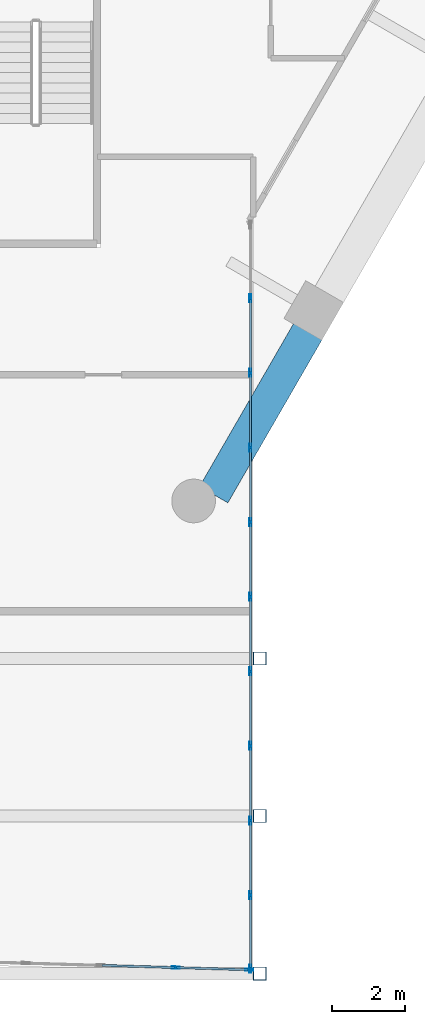
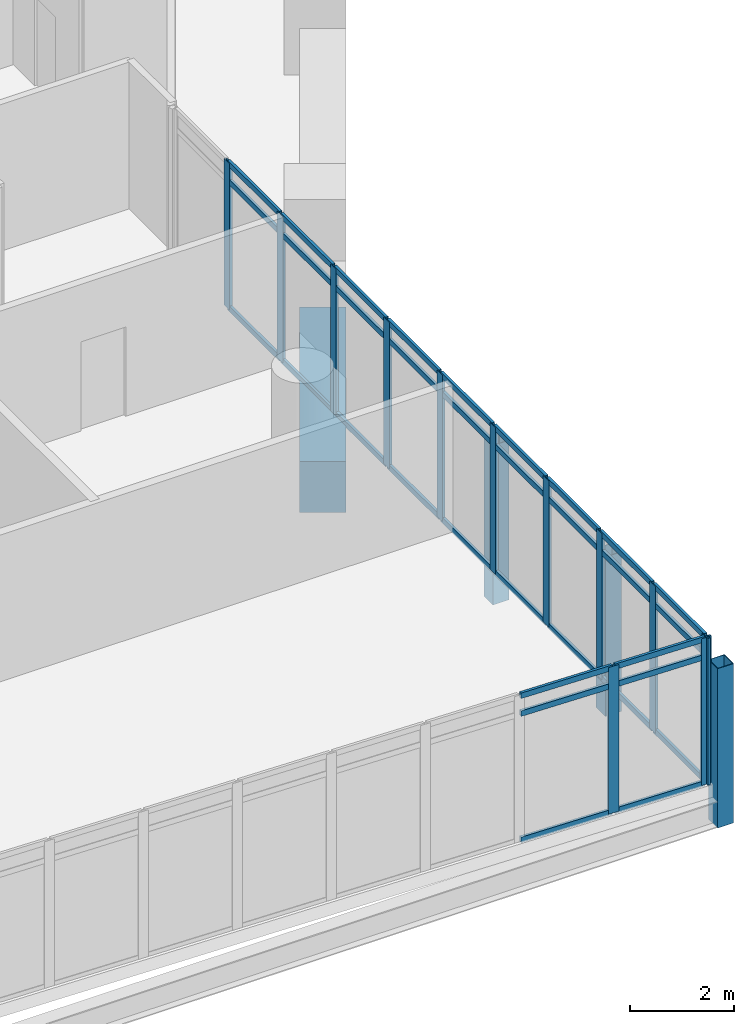
# One storey, part 10 of 28: 48 members, 1 beam, 2 elements without a shape of their own.
"""IFC4 building model written with IfcOpenShell, lengths in metres."""

import ifcopenshell
import ifcopenshell.guid

model = None  # the IFC model being written
_history = None  # IfcOwnerHistory: only IFC2X3 demands one
_inside = {}  # id of a spatial element -> (the spatial element, [elements in it])
_under = {}  # id of a project, library or spatial element -> (it, [spatial elements below it])
_declared = {}  # id of a project -> (the project, [libraries it declares])
_typed = {}  # id of a type object -> (the type object, [elements of that type])
_made_of = {}  # id of a material, layer set ... -> (it, [elements and type objects made of it])


def new_model(schema):
    """Start an empty IFC model of exactly this schema.

    Asked for "IFC4X3", IfcOpenShell would pick the latest addendum, in which some entities
    have other attributes; the version numbers below select the first issue.
    IFC2X3 requires an IfcOwnerHistory on every rooted entity: one is made here for all.
    """
    global model, _history
    if schema == "IFC4X3":
        model = ifcopenshell.file(schema_version=(4, 3, 0, 0))
    else:
        model = ifcopenshell.file(schema=schema)
    _inside.clear()
    _under.clear()
    _declared.clear()
    _typed.clear()
    _made_of.clear()
    _history = None
    if model.schema == "IFC2X3":
        org = make("IfcOrganization", Name="unknown")
        user = make(
            "IfcPersonAndOrganization",
            ThePerson=make("IfcPerson", FamilyName="unknown"),
            TheOrganization=org,
        )
        app = make(
            "IfcApplication",
            ApplicationDeveloper=org,
            Version="unknown",
            ApplicationFullName="unknown",
            ApplicationIdentifier="unknown",
        )
        _history = make(
            "IfcOwnerHistory",
            OwningUser=user,
            OwningApplication=app,
            ChangeAction="ADDED",
            CreationDate=0,
        )
    return model


def make(cls, **values):
    """One entity of the class cls with the attributes given. An attribute that is None is left unset."""
    return model.create_entity(
        cls, **{name: value for name, value in values.items() if value is not None}
    )


def rooted(cls, **values):
    """An entity with a GlobalId (a new one), such as an element, a storey or a relation."""
    return make(cls, GlobalId=ifcopenshell.guid.new(), OwnerHistory=_history, **values)


def si_unit(unit_type, name, prefix=None):
    """IfcSIUnit, for example si_unit("LENGTHUNIT", "METRE", prefix="MILLI")."""
    return make("IfcSIUnit", UnitType=unit_type, Prefix=prefix, Name=name)


def assignment(units):
    """IfcUnitAssignment: the units of a project."""
    return None if units is None else make("IfcUnitAssignment", Units=units)


def point(xyz):
    """IfcCartesianPoint."""
    return None if xyz is None else make("IfcCartesianPoint", Coordinates=xyz)


def direction(xyz):
    """IfcDirection."""
    return None if xyz is None else make("IfcDirection", DirectionRatios=xyz)


def frame(location, z_axis=None, x_axis=None):
    """IfcAxis2Placement3D, a coordinate frame: its origin and axes. An axis left out is left unset."""
    return make(
        "IfcAxis2Placement3D",
        Location=point(location),
        Axis=direction(z_axis),
        RefDirection=direction(x_axis),
    )


def frame_2d(location, x_axis=None):
    """IfcAxis2Placement2D, a coordinate frame in the plane: its origin and x axis."""
    return make(
        "IfcAxis2Placement2D", Location=point(location), RefDirection=direction(x_axis)
    )


def origin():
    """The frame at (0, 0, 0) with its axes left unset."""
    return frame((0.0, 0.0, 0.0))


def origin_2d():
    """The frame at (0, 0) in the plane with its x axis left unset."""
    return frame_2d((0.0, 0.0))


def place(relative_to, where):
    """IfcLocalPlacement: puts the frame where relative to a parent placement (None: the world)."""
    return make(
        "IfcLocalPlacement", PlacementRelTo=relative_to, RelativePlacement=where
    )


def context(
    kind, dimensions, precision=None, world=None, true_north=None, identifier=None
):
    """IfcGeometricRepresentationContext, for example the 3D "Model" context."""
    return make(
        "IfcGeometricRepresentationContext",
        ContextIdentifier=identifier,
        ContextType=kind,
        CoordinateSpaceDimension=dimensions,
        Precision=precision,
        WorldCoordinateSystem=world,
        TrueNorth=true_north,
    )


def subcontext(parent, identifier, kind, view, scale=None):
    """IfcGeometricRepresentationSubContext, for example "Body" below "Model"."""
    return make(
        "IfcGeometricRepresentationSubContext",
        ContextIdentifier=identifier,
        ContextType=kind,
        ParentContext=parent,
        TargetScale=scale,
        TargetView=view,
    )


def project(units=None, contexts=None):
    """IfcProject with its units and contexts."""
    return rooted(
        "IfcProject",
        Name="project",
        RepresentationContexts=contexts,
        UnitsInContext=assignment(units),
    )


def spatial(cls, under=None, at=None, **own):
    """A site, building, storey or space (cls), placed at a placement, below another one or the project."""
    s = rooted(cls, ObjectPlacement=at, **own)
    if under is not None:
        _under.setdefault(under.id(), (under, []))[1].append(s)
    return s


def profile(cls, at=None, kind="AREA", **sizes):
    """A parametric profile (cls). Its sizes go by their IFC names, for example OverallWidth=200.0."""
    return make(cls, ProfileType=kind, Position=at, **sizes)


def rectangle(**sizes):
    """IfcRectangleProfileDef."""
    return profile("IfcRectangleProfileDef", **sizes)


def hollow_rectangle(**sizes):
    """IfcRectangleHollowProfileDef."""
    return profile("IfcRectangleHollowProfileDef", **sizes)


def extrude(swept, where, along, depth):
    """IfcExtrudedAreaSolid: the profile swept, set in the frame where, extruded along a direction by depth."""
    return make(
        "IfcExtrudedAreaSolid",
        SweptArea=swept,
        Position=where,
        ExtrudedDirection=direction(along),
        Depth=depth,
    )


def shape(context_of_items, identifier, shape_type, items):
    """IfcShapeRepresentation: the items that make up one representation, for example the "Body"."""
    return make(
        "IfcShapeRepresentation",
        ContextOfItems=context_of_items,
        RepresentationIdentifier=identifier,
        RepresentationType=shape_type,
        Items=items,
    )


def material(Name=None, Category=None):
    """IfcMaterial."""
    return make("IfcMaterial", Name=Name, Category=Category)


def material_profile(
    of_material, cross_section, Name=None, Category=None, Priority=None
):
    """IfcMaterialProfile: a cross section and its material."""
    return make(
        "IfcMaterialProfile",
        Name=Name,
        Material=of_material,
        Profile=cross_section,
        Priority=Priority,
        Category=Category,
    )


def profile_set(profiles, Name=None, composite=None):
    """IfcMaterialProfileSet."""
    return make(
        "IfcMaterialProfileSet",
        Name=Name,
        MaterialProfiles=profiles,
        CompositeProfile=composite,
    )


def made_of(thing, what):
    """Note that an element or type object is made of a material, layer set ...; save() writes the relation."""
    if what is not None:
        _made_of.setdefault(what.id(), (what, []))[1].append(thing)
    return thing


def type_object(cls, material=None, **own):
    """A type object (cls), such as IfcWallType, which elements share."""
    return made_of(rooted(cls, **own), material)


def element(
    cls,
    number,
    at=None,
    inside=None,
    cuts=None,
    type_object=None,
    material=None,
    context=None,
    identifier="Body",
    shape_type=None,
    held_by="IfcProductDefinitionShape",
    body=None,
    shapes=None,
    **own,
):
    """One element of the class cls, such as IfcWall. Its Tag is "e" and its number.

    at: its placement. inside: the storey or other place that contains it. cuts: it is an
    opening in that element (IfcRelVoidsElement). A single representation is given by context,
    identifier, shape_type and body (its items); several are given by shapes. held_by: the class
    of the entity that holds the representations. save() writes the other relations.
    """
    e = rooted(cls, Tag="e%d" % number, ObjectPlacement=at, **own)
    if body is not None:
        shapes = [shape(context, identifier, shape_type, body)]
    if shapes is not None:
        e.Representation = make(held_by, Representations=shapes)
    if inside is not None:
        _inside.setdefault(inside.id(), (inside, []))[1].append(e)
    if cuts is not None:
        rooted(
            "IfcRelVoidsElement", RelatingBuildingElement=cuts, RelatedOpeningElement=e
        )
    if type_object is not None:
        _typed.setdefault(type_object.id(), (type_object, []))[1].append(e)
    return made_of(e, material)


def aggregate(whole, parts):
    """IfcRelAggregates: a whole, such as a stair, and the parts it consists of."""
    return rooted("IfcRelAggregates", RelatingObject=whole, RelatedObjects=parts)


def save(model, path):
    """Write the relations noted so far, then the file.

    IfcRelAggregates (storeys below a building ...), IfcRelContainedInSpatialStructure (elements
    in a storey), IfcRelDefinesByType, IfcRelAssociatesMaterial and IfcRelDeclares: one each for
    every whole, place, type object, material and project.
    """
    for whole, parts in _under.values():
        aggregate(whole, parts)
    for where, things in _inside.values():
        rooted(
            "IfcRelContainedInSpatialStructure",
            RelatedElements=things,
            RelatingStructure=where,
        )
    for kind, things in _typed.values():
        rooted("IfcRelDefinesByType", RelatedObjects=things, RelatingType=kind)
    for what, things in _made_of.values():
        rooted("IfcRelAssociatesMaterial", RelatedObjects=things, RelatingMaterial=what)
    for by, libraries in _declared.values():
        rooted("IfcRelDeclares", RelatingContext=by, RelatedDefinitions=libraries)
    model.write(path)


model = new_model("IFC4")

# Units and contexts
model_context = context("Model", 3, precision=1e-05, world=origin(), true_north=direction((0.0, 1.0)))
body_context = subcontext(model_context, "Body", "Model", "MODEL_VIEW")
ifc_project = project(units=[si_unit("LENGTHUNIT", "METRE"), si_unit("AREAUNIT", "SQUARE_METRE"), si_unit("VOLUMEUNIT", "CUBIC_METRE"), si_unit("PLANEANGLEUNIT", "RADIAN"), si_unit("MASSUNIT", "GRAM", prefix="KILO")], contexts=[model_context])

# Site, building, storey
site_placement = place(None, origin())
site = spatial("IfcSite", under=ifc_project, at=site_placement, CompositionType="ELEMENT")
building_placement = place(site_placement, origin())
building = spatial("IfcBuilding", under=site, at=building_placement, Name="Ostrander Bayou Hotel Tower", CompositionType="ELEMENT")
storey_placement = place(building_placement, frame((0.0, 0.0, 134.75)))
storey = spatial("IfcBuildingStorey", under=building, at=storey_placement, Name="L33", CompositionType="ELEMENT", Elevation=134.75)

# Curtain wall, members
ifc_material_1 = material(Name="Aluminium and clear glass", Category="aluminium")
curtain_wall_type = type_object("IfcCurtainWallType", Name="CW-BAR glazed wall", PredefinedType="NOTDEFINED", material=ifc_material_1)
curtain_wall_1_placement = place(storey_placement, origin())
curtain_wall_1 = element("IfcCurtainWall", 1, at=curtain_wall_1_placement, inside=storey, type_object=curtain_wall_type, Name="CW-BAR L33:SB3S:T", PredefinedType="NOTDEFINED")
ifc_material_2 = material(Name="Aluminium", Category="aluminium")
ifc_material_profile_1 = material_profile(ifc_material_2, hollow_rectangle(XDim=0.06005859375, YDim=0.219970703125, WallThickness=0.00390625, at=origin_2d()))
ifc_profile_set_1 = profile_set([ifc_material_profile_1], Name="Aluminium")
member_type_1 = type_object("IfcMemberType", Name="CW-BR mullion 60 x 220 mm", PredefinedType="MULLION", material=ifc_profile_set_1)
member_1_placement = place(storey_placement, frame((11.310791015625, -31.28662109375, 0.0), z_axis=(0.0, 0.0, 1.0), x_axis=(0.029746242041, 0.999557482631, 0.0)))
member_1 = element("IfcMember", 2, at=member_1_placement, type_object=member_type_1, Name="CW-BAR mullion 13", PredefinedType="MULLION", context=body_context, shape_type="SweptSolid", body=[
    extrude(hollow_rectangle(XDim=0.06005859375, YDim=0.219970703125, WallThickness=0.00390625, at=origin_2d()), origin(), (0.0, 0.0, 1.0), 3.449951171875),
])
member_2_placement = place(storey_placement, frame((13.337158203125, -31.346923828125, 0.0), z_axis=(0.0, 0.0, 1.0), x_axis=(0.029746242041, 0.999557482631, 0.0)))
member_2 = element("IfcMember", 3, at=member_2_placement, type_object=member_type_1, Name="CW-BAR mullion 14", PredefinedType="MULLION", context=body_context, shape_type="SweptSolid", body=[
    extrude(hollow_rectangle(XDim=0.06005859375, YDim=0.219970703125, WallThickness=0.00390625, at=origin_2d()), origin(), (0.0, 0.0, 1.0), 3.449951171875),
])

curtain_wall_2_placement = place(storey_placement, origin())
curtain_wall_2 = element("IfcCurtainWall", 4, at=curtain_wall_2_placement, inside=storey, type_object=curtain_wall_type, Name="CW-BAR L33:SB3S:W", PredefinedType="NOTDEFINED")
member_3_placement = place(storey_placement, frame((13.3671875, -12.8974609375, 0.0), z_axis=(0.0, 0.0, 1.0), x_axis=(1.0, 0.0, 0.0)))
member_3 = element("IfcMember", 5, at=member_3_placement, type_object=member_type_1, Name="CW-BAR mullion 2", PredefinedType="MULLION", context=body_context, shape_type="SweptSolid", body=[
    extrude(hollow_rectangle(XDim=0.06005859375, YDim=0.219970703125, WallThickness=0.00390625, at=origin_2d()), origin(), (0.0, 0.0, 1.0), 3.449951171875),
])
member_4_placement = place(storey_placement, frame((13.3671875, -14.947509765625, 0.0), z_axis=(0.0, 0.0, 1.0), x_axis=(1.0, 0.0, 0.0)))
member_4 = element("IfcMember", 6, at=member_4_placement, type_object=member_type_1, Name="CW-BAR mullion 3", PredefinedType="MULLION", context=body_context, shape_type="SweptSolid", body=[
    extrude(hollow_rectangle(XDim=0.06005859375, YDim=0.219970703125, WallThickness=0.00390625, at=origin_2d()), origin(), (0.0, 0.0, 1.0), 3.449951171875),
])
member_5_placement = place(storey_placement, frame((13.3671875, -16.99755859375, 0.0), z_axis=(0.0, 0.0, 1.0), x_axis=(1.0, 0.0, 0.0)))
member_5 = element("IfcMember", 7, at=member_5_placement, type_object=member_type_1, Name="CW-BAR mullion 4", PredefinedType="MULLION", context=body_context, shape_type="SweptSolid", body=[
    extrude(hollow_rectangle(XDim=0.06005859375, YDim=0.219970703125, WallThickness=0.00390625, at=origin_2d()), origin(), (0.0, 0.0, 1.0), 3.449951171875),
])
member_6_placement = place(storey_placement, frame((13.3671875, -19.047607421875, 0.0), z_axis=(0.0, 0.0, 1.0), x_axis=(1.0, 0.0, 0.0)))
member_6 = element("IfcMember", 8, at=member_6_placement, type_object=member_type_1, Name="CW-BAR mullion 5", PredefinedType="MULLION", context=body_context, shape_type="SweptSolid", body=[
    extrude(hollow_rectangle(XDim=0.06005859375, YDim=0.219970703125, WallThickness=0.00390625, at=origin_2d()), origin(), (0.0, 0.0, 1.0), 3.449951171875),
])
member_7_placement = place(storey_placement, frame((13.3671875, -21.09765625, 0.0), z_axis=(0.0, 0.0, 1.0), x_axis=(1.0, 0.0, 0.0)))
member_7 = element("IfcMember", 9, at=member_7_placement, type_object=member_type_1, Name="CW-BAR mullion 6", PredefinedType="MULLION", context=body_context, shape_type="SweptSolid", body=[
    extrude(hollow_rectangle(XDim=0.06005859375, YDim=0.219970703125, WallThickness=0.00390625, at=origin_2d()), origin(), (0.0, 0.0, 1.0), 3.449951171875),
])
member_8_placement = place(storey_placement, frame((13.3671875, -23.147705078125, 0.0), z_axis=(0.0, 0.0, 1.0), x_axis=(1.0, 0.0, 0.0)))
member_8 = element("IfcMember", 10, at=member_8_placement, type_object=member_type_1, Name="CW-BAR mullion 7", PredefinedType="MULLION", context=body_context, shape_type="SweptSolid", body=[
    extrude(hollow_rectangle(XDim=0.06005859375, YDim=0.219970703125, WallThickness=0.00390625, at=origin_2d()), origin(), (0.0, 0.0, 1.0), 3.449951171875),
])
member_9_placement = place(storey_placement, frame((13.3671875, -25.19775390625, 0.0), z_axis=(0.0, 0.0, 1.0), x_axis=(1.0, 0.0, 0.0)))
member_9 = element("IfcMember", 11, at=member_9_placement, type_object=member_type_1, Name="CW-BAR mullion 8", PredefinedType="MULLION", context=body_context, shape_type="SweptSolid", body=[
    extrude(hollow_rectangle(XDim=0.06005859375, YDim=0.219970703125, WallThickness=0.00390625, at=origin_2d()), origin(), (0.0, 0.0, 1.0), 3.449951171875),
])
member_10_placement = place(storey_placement, frame((13.3671875, -27.247802734375, 0.0), z_axis=(0.0, 0.0, 1.0), x_axis=(1.0, 0.0, 0.0)))
member_10 = element("IfcMember", 12, at=member_10_placement, type_object=member_type_1, Name="CW-BAR mullion 9", PredefinedType="MULLION", context=body_context, shape_type="SweptSolid", body=[
    extrude(hollow_rectangle(XDim=0.06005859375, YDim=0.219970703125, WallThickness=0.00390625, at=origin_2d()), origin(), (0.0, 0.0, 1.0), 3.449951171875),
])
member_11_placement = place(storey_placement, frame((13.3671875, -29.2978515625, 0.0), z_axis=(0.0, 0.0, 1.0), x_axis=(1.0, 0.0, 0.0)))
member_11 = element("IfcMember", 13, at=member_11_placement, type_object=member_type_1, Name="CW-BAR mullion 10", PredefinedType="MULLION", context=body_context, shape_type="SweptSolid", body=[
    extrude(hollow_rectangle(XDim=0.06005859375, YDim=0.219970703125, WallThickness=0.00390625, at=origin_2d()), origin(), (0.0, 0.0, 1.0), 3.449951171875),
])
member_12_placement = place(storey_placement, frame((13.3671875, -31.31787109375, 0.0), z_axis=(0.0, 0.0, 1.0), x_axis=(1.0, 0.0, 0.0)))
member_12 = element("IfcMember", 14, at=member_12_placement, type_object=member_type_1, Name="CW-BAR mullion 11", PredefinedType="MULLION", context=body_context, shape_type="SweptSolid", body=[
    extrude(hollow_rectangle(XDim=0.06005859375, YDim=0.219970703125, WallThickness=0.00390625, at=origin_2d()), origin(), (0.0, 0.0, 1.0), 3.449951171875),
])

# Member
ifc_material_3 = material(Name="Aluminium", Category="aluminium")
ifc_material_profile_2 = material_profile(ifc_material_3, hollow_rectangle(XDim=0.06005859375, YDim=0.1298828125, WallThickness=0.00390625, at=origin_2d()))
ifc_profile_set_2 = profile_set([ifc_material_profile_2], Name="Aluminium")
member_type_2 = type_object("IfcMemberType", Name="CW-BR transom 60 x 130 mm", PredefinedType="USERDEFINED", material=ifc_profile_set_2)
member_13_placement = place(storey_placement, frame((9.2841796875, -31.226318359375, 0.030029296875), z_axis=(0.999558835181, -0.029700757758, 0.0), x_axis=(0.029700757758, 0.999558835181, 0.0)))
member_13 = element("IfcMember", 15, at=member_13_placement, type_object=member_type_2, Name="CW-BAR transom 12.1", ObjectType="TRANSOM", PredefinedType="USERDEFINED", context=body_context, shape_type="SweptSolid", body=[
    extrude(hollow_rectangle(XDim=0.06005859375, YDim=0.1298828125, WallThickness=0.00390625, at=origin_2d()), origin(), (0.0, 0.0, 1.0), 1.99755859375),
])

member_14_placement = place(storey_placement, frame((9.2841796875, -31.226318359375, 3.0), z_axis=(0.999558835181, -0.029700757758, 0.0), x_axis=(0.029700757758, 0.999558835181, 0.0)))
member_14 = element("IfcMember", 16, at=member_14_placement, type_object=member_type_2, Name="CW-BAR transom 12.2", ObjectType="TRANSOM", PredefinedType="USERDEFINED", context=body_context, shape_type="SweptSolid", body=[
    extrude(hollow_rectangle(XDim=0.06005859375, YDim=0.1298828125, WallThickness=0.00390625, at=origin_2d()), origin(), (0.0, 0.0, 1.0), 1.99755859375),
])

member_15_placement = place(storey_placement, frame((9.2841796875, -31.226318359375, 3.419921875), z_axis=(0.999558835181, -0.029700757758, 0.0), x_axis=(0.029700757758, 0.999558835181, 0.0)))
member_15 = element("IfcMember", 17, at=member_15_placement, type_object=member_type_2, Name="CW-BAR transom 12.3", ObjectType="TRANSOM", PredefinedType="USERDEFINED", context=body_context, shape_type="SweptSolid", body=[
    extrude(hollow_rectangle(XDim=0.06005859375, YDim=0.1298828125, WallThickness=0.00390625, at=origin_2d()), origin(), (0.0, 0.0, 1.0), 1.99755859375),
])

member_16_placement = place(storey_placement, frame((11.340576171875, -31.28759765625, 0.030029296875), z_axis=(0.99956010596, -0.029657959693, 0.0), x_axis=(0.029657959693, 0.99956010596, 0.0)))
member_16 = element("IfcMember", 18, at=member_16_placement, type_object=member_type_2, Name="CW-BAR transom 13.1", ObjectType="TRANSOM", PredefinedType="USERDEFINED", context=body_context, shape_type="SweptSolid", body=[
    extrude(hollow_rectangle(XDim=0.06005859375, YDim=0.1298828125, WallThickness=0.00390625, at=origin_2d()), origin(), (0.0, 0.0, 1.0), 1.967529296875),
])

member_17_placement = place(storey_placement, frame((11.340576171875, -31.28759765625, 3.0), z_axis=(0.99956010596, -0.029657959693, 0.0), x_axis=(0.029657959693, 0.99956010596, 0.0)))
member_17 = element("IfcMember", 19, at=member_17_placement, type_object=member_type_2, Name="CW-BAR transom 13.2", ObjectType="TRANSOM", PredefinedType="USERDEFINED", context=body_context, shape_type="SweptSolid", body=[
    extrude(hollow_rectangle(XDim=0.06005859375, YDim=0.1298828125, WallThickness=0.00390625, at=origin_2d()), origin(), (0.0, 0.0, 1.0), 1.967529296875),
])

member_18_placement = place(storey_placement, frame((11.340576171875, -31.28759765625, 3.419921875), z_axis=(0.99956010596, -0.029657959693, 0.0), x_axis=(0.029657959693, 0.99956010596, 0.0)))
member_18 = element("IfcMember", 20, at=member_18_placement, type_object=member_type_2, Name="CW-BAR transom 13.3", ObjectType="TRANSOM", PredefinedType="USERDEFINED", context=body_context, shape_type="SweptSolid", body=[
    extrude(hollow_rectangle(XDim=0.06005859375, YDim=0.1298828125, WallThickness=0.00390625, at=origin_2d()), origin(), (0.0, 0.0, 1.0), 1.967529296875),
])

aggregate(curtain_wall_1, [member_1, member_2, member_13, member_14, member_15, member_16, member_17, member_18])

member_19_placement = place(storey_placement, frame((13.3671875, -12.92724609375, 0.030029296875), z_axis=(0.0, -1.0, 0.0), x_axis=(1.0, 0.0, 0.0)))
member_19 = element("IfcMember", 21, at=member_19_placement, type_object=member_type_2, Name="CW-BAR transom 2.1", ObjectType="TRANSOM", PredefinedType="USERDEFINED", context=body_context, shape_type="SweptSolid", body=[
    extrude(hollow_rectangle(XDim=0.06005859375, YDim=0.1298828125, WallThickness=0.00390625, at=origin_2d()), origin(), (0.0, 0.0, 1.0), 1.990234375),
])

member_20_placement = place(storey_placement, frame((13.3671875, -12.92724609375, 3.0), z_axis=(0.0, -1.0, 0.0), x_axis=(1.0, 0.0, 0.0)))
member_20 = element("IfcMember", 22, at=member_20_placement, type_object=member_type_2, Name="CW-BAR transom 2.2", ObjectType="TRANSOM", PredefinedType="USERDEFINED", context=body_context, shape_type="SweptSolid", body=[
    extrude(hollow_rectangle(XDim=0.06005859375, YDim=0.1298828125, WallThickness=0.00390625, at=origin_2d()), origin(), (0.0, 0.0, 1.0), 1.990234375),
])

member_21_placement = place(storey_placement, frame((13.3671875, -12.92724609375, 3.419921875), z_axis=(0.0, -1.0, 0.0), x_axis=(1.0, 0.0, 0.0)))
member_21 = element("IfcMember", 23, at=member_21_placement, type_object=member_type_2, Name="CW-BAR transom 2.3", ObjectType="TRANSOM", PredefinedType="USERDEFINED", context=body_context, shape_type="SweptSolid", body=[
    extrude(hollow_rectangle(XDim=0.06005859375, YDim=0.1298828125, WallThickness=0.00390625, at=origin_2d()), origin(), (0.0, 0.0, 1.0), 1.990234375),
])

member_22_placement = place(storey_placement, frame((13.3671875, -14.977294921875, 0.030029296875), z_axis=(0.0, -1.0, 0.0), x_axis=(1.0, 0.0, 0.0)))
member_22 = element("IfcMember", 24, at=member_22_placement, type_object=member_type_2, Name="CW-BAR transom 3.1", ObjectType="TRANSOM", PredefinedType="USERDEFINED", context=body_context, shape_type="SweptSolid", body=[
    extrude(hollow_rectangle(XDim=0.06005859375, YDim=0.1298828125, WallThickness=0.00390625, at=origin_2d()), origin(), (0.0, 0.0, 1.0), 1.990234375),
])

member_23_placement = place(storey_placement, frame((13.3671875, -14.977294921875, 3.0), z_axis=(0.0, -1.0, 0.0), x_axis=(1.0, 0.0, 0.0)))
member_23 = element("IfcMember", 25, at=member_23_placement, type_object=member_type_2, Name="CW-BAR transom 3.2", ObjectType="TRANSOM", PredefinedType="USERDEFINED", context=body_context, shape_type="SweptSolid", body=[
    extrude(hollow_rectangle(XDim=0.06005859375, YDim=0.1298828125, WallThickness=0.00390625, at=origin_2d()), origin(), (0.0, 0.0, 1.0), 1.990234375),
])

member_24_placement = place(storey_placement, frame((13.3671875, -14.977294921875, 3.419921875), z_axis=(0.0, -1.0, 0.0), x_axis=(1.0, 0.0, 0.0)))
member_24 = element("IfcMember", 26, at=member_24_placement, type_object=member_type_2, Name="CW-BAR transom 3.3", ObjectType="TRANSOM", PredefinedType="USERDEFINED", context=body_context, shape_type="SweptSolid", body=[
    extrude(hollow_rectangle(XDim=0.06005859375, YDim=0.1298828125, WallThickness=0.00390625, at=origin_2d()), origin(), (0.0, 0.0, 1.0), 1.990234375),
])

member_25_placement = place(storey_placement, frame((13.3671875, -17.02734375, 0.030029296875), z_axis=(0.0, -1.0, 0.0), x_axis=(1.0, 0.0, 0.0)))
member_25 = element("IfcMember", 27, at=member_25_placement, type_object=member_type_2, Name="CW-BAR transom 4.1", ObjectType="TRANSOM", PredefinedType="USERDEFINED", context=body_context, shape_type="SweptSolid", body=[
    extrude(hollow_rectangle(XDim=0.06005859375, YDim=0.1298828125, WallThickness=0.00390625, at=origin_2d()), origin(), (0.0, 0.0, 1.0), 1.990234375),
])

member_26_placement = place(storey_placement, frame((13.3671875, -17.02734375, 3.0), z_axis=(0.0, -1.0, 0.0), x_axis=(1.0, 0.0, 0.0)))
member_26 = element("IfcMember", 28, at=member_26_placement, type_object=member_type_2, Name="CW-BAR transom 4.2", ObjectType="TRANSOM", PredefinedType="USERDEFINED", context=body_context, shape_type="SweptSolid", body=[
    extrude(hollow_rectangle(XDim=0.06005859375, YDim=0.1298828125, WallThickness=0.00390625, at=origin_2d()), origin(), (0.0, 0.0, 1.0), 1.990234375),
])

member_27_placement = place(storey_placement, frame((13.3671875, -17.02734375, 3.419921875), z_axis=(0.0, -1.0, 0.0), x_axis=(1.0, 0.0, 0.0)))
member_27 = element("IfcMember", 29, at=member_27_placement, type_object=member_type_2, Name="CW-BAR transom 4.3", ObjectType="TRANSOM", PredefinedType="USERDEFINED", context=body_context, shape_type="SweptSolid", body=[
    extrude(hollow_rectangle(XDim=0.06005859375, YDim=0.1298828125, WallThickness=0.00390625, at=origin_2d()), origin(), (0.0, 0.0, 1.0), 1.990234375),
])

member_28_placement = place(storey_placement, frame((13.3671875, -19.077392578125, 0.030029296875), z_axis=(0.0, -1.0, 0.0), x_axis=(1.0, 0.0, 0.0)))
member_28 = element("IfcMember", 30, at=member_28_placement, type_object=member_type_2, Name="CW-BAR transom 5.1", ObjectType="TRANSOM", PredefinedType="USERDEFINED", context=body_context, shape_type="SweptSolid", body=[
    extrude(hollow_rectangle(XDim=0.06005859375, YDim=0.1298828125, WallThickness=0.00390625, at=origin_2d()), origin(), (0.0, 0.0, 1.0), 1.990234375),
])

member_29_placement = place(storey_placement, frame((13.3671875, -19.077392578125, 3.0), z_axis=(0.0, -1.0, 0.0), x_axis=(1.0, 0.0, 0.0)))
member_29 = element("IfcMember", 31, at=member_29_placement, type_object=member_type_2, Name="CW-BAR transom 5.2", ObjectType="TRANSOM", PredefinedType="USERDEFINED", context=body_context, shape_type="SweptSolid", body=[
    extrude(hollow_rectangle(XDim=0.06005859375, YDim=0.1298828125, WallThickness=0.00390625, at=origin_2d()), origin(), (0.0, 0.0, 1.0), 1.990234375),
])

member_30_placement = place(storey_placement, frame((13.3671875, -19.077392578125, 3.419921875), z_axis=(0.0, -1.0, 0.0), x_axis=(1.0, 0.0, 0.0)))
member_30 = element("IfcMember", 32, at=member_30_placement, type_object=member_type_2, Name="CW-BAR transom 5.3", ObjectType="TRANSOM", PredefinedType="USERDEFINED", context=body_context, shape_type="SweptSolid", body=[
    extrude(hollow_rectangle(XDim=0.06005859375, YDim=0.1298828125, WallThickness=0.00390625, at=origin_2d()), origin(), (0.0, 0.0, 1.0), 1.990234375),
])

member_31_placement = place(storey_placement, frame((13.3671875, -21.12744140625, 0.030029296875), z_axis=(0.0, -1.0, 0.0), x_axis=(1.0, 0.0, 0.0)))
member_31 = element("IfcMember", 33, at=member_31_placement, type_object=member_type_2, Name="CW-BAR transom 6.1", ObjectType="TRANSOM", PredefinedType="USERDEFINED", context=body_context, shape_type="SweptSolid", body=[
    extrude(hollow_rectangle(XDim=0.06005859375, YDim=0.1298828125, WallThickness=0.00390625, at=origin_2d()), origin(), (0.0, 0.0, 1.0), 1.990234375),
])

member_32_placement = place(storey_placement, frame((13.3671875, -21.12744140625, 3.0), z_axis=(0.0, -1.0, 0.0), x_axis=(1.0, 0.0, 0.0)))
member_32 = element("IfcMember", 34, at=member_32_placement, type_object=member_type_2, Name="CW-BAR transom 6.2", ObjectType="TRANSOM", PredefinedType="USERDEFINED", context=body_context, shape_type="SweptSolid", body=[
    extrude(hollow_rectangle(XDim=0.06005859375, YDim=0.1298828125, WallThickness=0.00390625, at=origin_2d()), origin(), (0.0, 0.0, 1.0), 1.990234375),
])

member_33_placement = place(storey_placement, frame((13.3671875, -21.12744140625, 3.419921875), z_axis=(0.0, -1.0, 0.0), x_axis=(1.0, 0.0, 0.0)))
member_33 = element("IfcMember", 35, at=member_33_placement, type_object=member_type_2, Name="CW-BAR transom 6.3", ObjectType="TRANSOM", PredefinedType="USERDEFINED", context=body_context, shape_type="SweptSolid", body=[
    extrude(hollow_rectangle(XDim=0.06005859375, YDim=0.1298828125, WallThickness=0.00390625, at=origin_2d()), origin(), (0.0, 0.0, 1.0), 1.990234375),
])

member_34_placement = place(storey_placement, frame((13.3671875, -23.177490234375, 0.030029296875), z_axis=(0.0, -1.0, 0.0), x_axis=(1.0, 0.0, 0.0)))
member_34 = element("IfcMember", 36, at=member_34_placement, type_object=member_type_2, Name="CW-BAR transom 7.1", ObjectType="TRANSOM", PredefinedType="USERDEFINED", context=body_context, shape_type="SweptSolid", body=[
    extrude(hollow_rectangle(XDim=0.06005859375, YDim=0.1298828125, WallThickness=0.00390625, at=origin_2d()), origin(), (0.0, 0.0, 1.0), 1.990234375),
])

member_35_placement = place(storey_placement, frame((13.3671875, -23.177490234375, 3.0), z_axis=(0.0, -1.0, 0.0), x_axis=(1.0, 0.0, 0.0)))
member_35 = element("IfcMember", 37, at=member_35_placement, type_object=member_type_2, Name="CW-BAR transom 7.2", ObjectType="TRANSOM", PredefinedType="USERDEFINED", context=body_context, shape_type="SweptSolid", body=[
    extrude(hollow_rectangle(XDim=0.06005859375, YDim=0.1298828125, WallThickness=0.00390625, at=origin_2d()), origin(), (0.0, 0.0, 1.0), 1.990234375),
])

member_36_placement = place(storey_placement, frame((13.3671875, -23.177490234375, 3.419921875), z_axis=(0.0, -1.0, 0.0), x_axis=(1.0, 0.0, 0.0)))
member_36 = element("IfcMember", 38, at=member_36_placement, type_object=member_type_2, Name="CW-BAR transom 7.3", ObjectType="TRANSOM", PredefinedType="USERDEFINED", context=body_context, shape_type="SweptSolid", body=[
    extrude(hollow_rectangle(XDim=0.06005859375, YDim=0.1298828125, WallThickness=0.00390625, at=origin_2d()), origin(), (0.0, 0.0, 1.0), 1.990234375),
])

member_37_placement = place(storey_placement, frame((13.3671875, -25.2275390625, 0.030029296875), z_axis=(0.0, -1.0, 0.0), x_axis=(1.0, 0.0, 0.0)))
member_37 = element("IfcMember", 39, at=member_37_placement, type_object=member_type_2, Name="CW-BAR transom 8.1", ObjectType="TRANSOM", PredefinedType="USERDEFINED", context=body_context, shape_type="SweptSolid", body=[
    extrude(hollow_rectangle(XDim=0.06005859375, YDim=0.1298828125, WallThickness=0.00390625, at=origin_2d()), origin(), (0.0, 0.0, 1.0), 1.990234375),
])

member_38_placement = place(storey_placement, frame((13.3671875, -25.2275390625, 3.0), z_axis=(0.0, -1.0, 0.0), x_axis=(1.0, 0.0, 0.0)))
member_38 = element("IfcMember", 40, at=member_38_placement, type_object=member_type_2, Name="CW-BAR transom 8.2", ObjectType="TRANSOM", PredefinedType="USERDEFINED", context=body_context, shape_type="SweptSolid", body=[
    extrude(hollow_rectangle(XDim=0.06005859375, YDim=0.1298828125, WallThickness=0.00390625, at=origin_2d()), origin(), (0.0, 0.0, 1.0), 1.990234375),
])

member_39_placement = place(storey_placement, frame((13.3671875, -25.2275390625, 3.419921875), z_axis=(0.0, -1.0, 0.0), x_axis=(1.0, 0.0, 0.0)))
member_39 = element("IfcMember", 41, at=member_39_placement, type_object=member_type_2, Name="CW-BAR transom 8.3", ObjectType="TRANSOM", PredefinedType="USERDEFINED", context=body_context, shape_type="SweptSolid", body=[
    extrude(hollow_rectangle(XDim=0.06005859375, YDim=0.1298828125, WallThickness=0.00390625, at=origin_2d()), origin(), (0.0, 0.0, 1.0), 1.990234375),
])

member_40_placement = place(storey_placement, frame((13.3671875, -27.277587890625, 0.030029296875), z_axis=(0.0, -1.0, 0.0), x_axis=(1.0, 0.0, 0.0)))
member_40 = element("IfcMember", 42, at=member_40_placement, type_object=member_type_2, Name="CW-BAR transom 9.1", ObjectType="TRANSOM", PredefinedType="USERDEFINED", context=body_context, shape_type="SweptSolid", body=[
    extrude(hollow_rectangle(XDim=0.06005859375, YDim=0.1298828125, WallThickness=0.00390625, at=origin_2d()), origin(), (0.0, 0.0, 1.0), 1.990234375),
])

member_41_placement = place(storey_placement, frame((13.3671875, -27.277587890625, 3.0), z_axis=(0.0, -1.0, 0.0), x_axis=(1.0, 0.0, 0.0)))
member_41 = element("IfcMember", 43, at=member_41_placement, type_object=member_type_2, Name="CW-BAR transom 9.2", ObjectType="TRANSOM", PredefinedType="USERDEFINED", context=body_context, shape_type="SweptSolid", body=[
    extrude(hollow_rectangle(XDim=0.06005859375, YDim=0.1298828125, WallThickness=0.00390625, at=origin_2d()), origin(), (0.0, 0.0, 1.0), 1.990234375),
])

member_42_placement = place(storey_placement, frame((13.3671875, -27.277587890625, 3.419921875), z_axis=(0.0, -1.0, 0.0), x_axis=(1.0, 0.0, 0.0)))
member_42 = element("IfcMember", 44, at=member_42_placement, type_object=member_type_2, Name="CW-BAR transom 9.3", ObjectType="TRANSOM", PredefinedType="USERDEFINED", context=body_context, shape_type="SweptSolid", body=[
    extrude(hollow_rectangle(XDim=0.06005859375, YDim=0.1298828125, WallThickness=0.00390625, at=origin_2d()), origin(), (0.0, 0.0, 1.0), 1.990234375),
])

member_43_placement = place(storey_placement, frame((13.3671875, -29.32763671875, 0.030029296875), z_axis=(0.0, -1.0, 0.0), x_axis=(1.0, 0.0, 0.0)))
member_43 = element("IfcMember", 45, at=member_43_placement, type_object=member_type_2, Name="CW-BAR transom 10.1", ObjectType="TRANSOM", PredefinedType="USERDEFINED", context=body_context, shape_type="SweptSolid", body=[
    extrude(hollow_rectangle(XDim=0.06005859375, YDim=0.1298828125, WallThickness=0.00390625, at=origin_2d()), origin(), (0.0, 0.0, 1.0), 1.960205078125),
])

member_44_placement = place(storey_placement, frame((13.3671875, -29.32763671875, 3.0), z_axis=(0.0, -1.0, 0.0), x_axis=(1.0, 0.0, 0.0)))
member_44 = element("IfcMember", 46, at=member_44_placement, type_object=member_type_2, Name="CW-BAR transom 10.2", ObjectType="TRANSOM", PredefinedType="USERDEFINED", context=body_context, shape_type="SweptSolid", body=[
    extrude(hollow_rectangle(XDim=0.06005859375, YDim=0.1298828125, WallThickness=0.00390625, at=origin_2d()), origin(), (0.0, 0.0, 1.0), 1.960205078125),
])

member_45_placement = place(storey_placement, frame((13.3671875, -29.32763671875, 3.419921875), z_axis=(0.0, -1.0, 0.0), x_axis=(1.0, 0.0, 0.0)))
member_45 = element("IfcMember", 47, at=member_45_placement, type_object=member_type_2, Name="CW-BAR transom 10.3", ObjectType="TRANSOM", PredefinedType="USERDEFINED", context=body_context, shape_type="SweptSolid", body=[
    extrude(hollow_rectangle(XDim=0.06005859375, YDim=0.1298828125, WallThickness=0.00390625, at=origin_2d()), origin(), (0.0, 0.0, 1.0), 1.960205078125),
])

aggregate(curtain_wall_2, [member_3, member_4, member_5, member_6, member_7, member_8, member_9, member_10, member_11, member_12, member_19, member_20, member_21, member_22, member_23, member_24, member_25, member_26, member_27, member_28, member_29, member_30, member_31, member_32, member_33, member_34, member_35, member_36, member_37, member_38, member_39, member_40, member_41, member_42, member_43, member_44, member_45])

# Beam
ifc_material_4 = material(Name="Concrete f'c 70 MPa", Category="concrete")
ifc_material_profile_3 = material_profile(ifc_material_4, rectangle(XDim=0.89990234375, YDim=1.199951171875, at=origin_2d()))
ifc_profile_set_3 = profile_set([ifc_material_profile_3], Name="Concrete f'c 70 MPa")
beam_type = type_object("IfcBeamType", Name="SP2 spandrel beam 900 x 1200 mm f'c 70 MPa", PredefinedType="SPANDREL", material=ifc_profile_set_3)
beam_placement = place(storey_placement, frame((12.35888671875, -18.293701171875, -0.60009765625), z_axis=(0.499996813733, 0.866027243369, 0.0), x_axis=(-0.866027243369, 0.499996813733, 0.0)))
element("IfcBeam", 48, at=beam_placement, inside=storey, type_object=beam_type, Name="SP2 L33 SE-1", PredefinedType="SPANDREL", context=body_context, shape_type="SweptSolid", body=[
    extrude(rectangle(XDim=0.89990234375, YDim=1.199951171875, at=origin_2d()), origin(), (0.0, 0.0, 1.0), 5.1865234375),
])

# Members
ifc_material_5 = material(Name="Steel ASTM A500 Gr C", Category="steel")
ifc_material_profile_4 = material_profile(ifc_material_5, hollow_rectangle(XDim=0.355712890625, YDim=0.355712890625, WallThickness=0.01171875, at=origin_2d()))
ifc_profile_set_4 = profile_set([ifc_material_profile_4], Name="Steel ASTM A500 Gr C")
member_type_3 = type_object("IfcMemberType", Name="TH2 bar hanger HSS14x14x1/2", PredefinedType="POST", material=ifc_profile_set_4)
for number, where, z_axis, x_axis, name in (
    (49, (13.6201171875, -22.794677734375, -0.921875), (0.0, 0.0, 1.0), (1.0, 0.0, 0.0), "TH2 SB3SB H1-2"),
    (50, (13.6201171875, -27.122314453125, -0.921875), (0.0, 0.0, 1.0), (1.0, 0.0, 0.0), "TH2 SB3SB H2-2"),
    (51, (13.6201171875, -31.449951171875, -0.921875), (0.0, 0.0, 1.0), (1.0, 0.0, 0.0), "TH2 SB3SB H3-2"),
):
    element("IfcMember", number, at=place(storey_placement, frame(where, z_axis=z_axis, x_axis=x_axis)), inside=storey, type_object=member_type_3, Name=name, PredefinedType="POST", context=body_context, shape_type="SweptSolid", body=[
        extrude(hollow_rectangle(XDim=0.355712890625, YDim=0.355712890625, WallThickness=0.01171875, at=origin_2d()), origin(), (0.0, 0.0, 1.0), 3.75),
    ])

save(model, "model.ifc")
